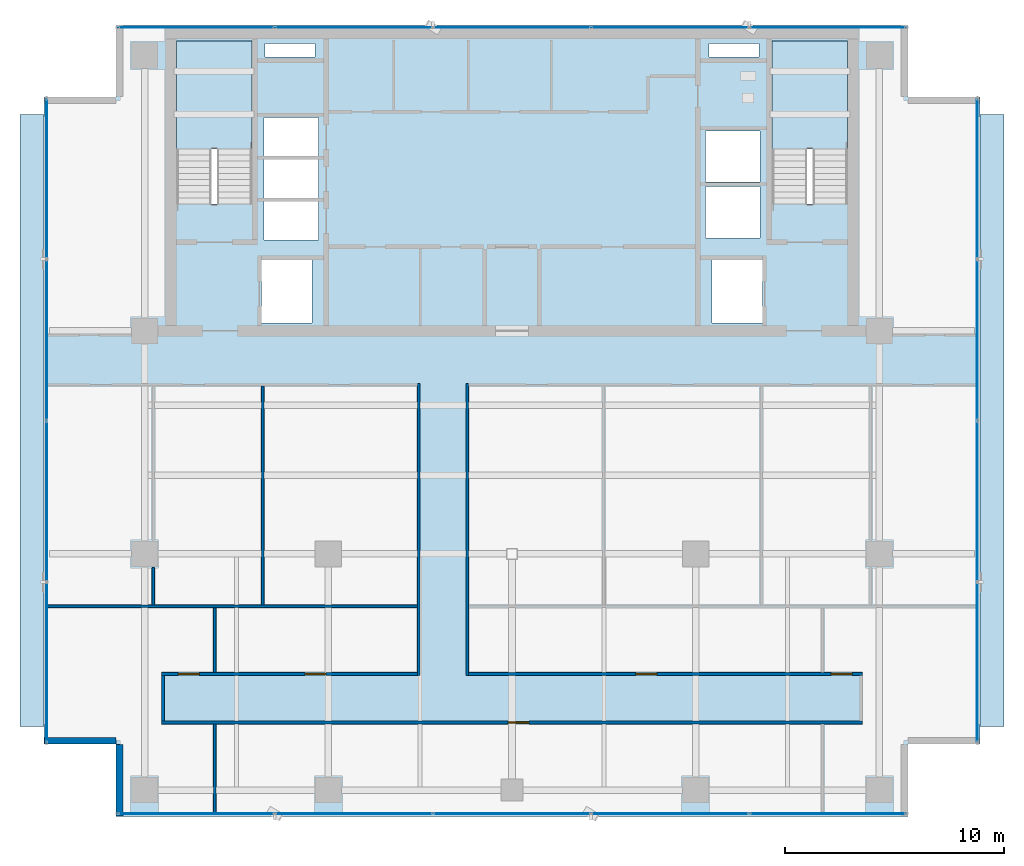
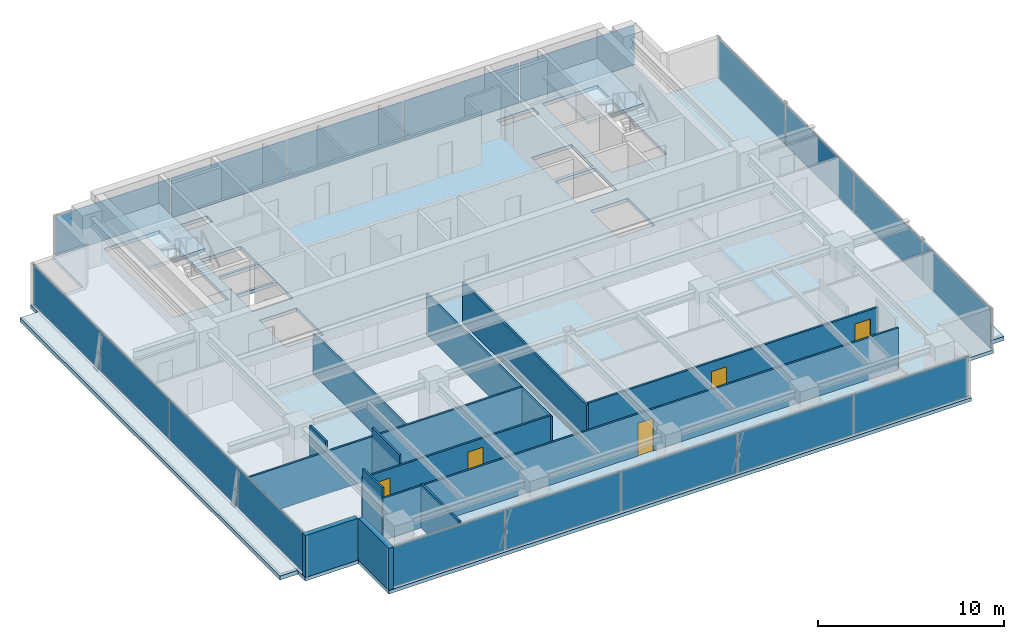
# One storey, part 15 of 22: 18 plates, 13 walls, 5 doors, 5 slabs, 5 openings, 6 elements without a shape of their own.
"""IFC4 building model written with IfcOpenShell, lengths in metres."""

import ifcopenshell
import ifcopenshell.guid

model = None  # the IFC model being written
_history = None  # IfcOwnerHistory: only IFC2X3 demands one
_inside = {}  # id of a spatial element -> (the spatial element, [elements in it])
_under = {}  # id of a project, library or spatial element -> (it, [spatial elements below it])
_declared = {}  # id of a project -> (the project, [libraries it declares])
_typed = {}  # id of a type object -> (the type object, [elements of that type])
_made_of = {}  # id of a material, layer set ... -> (it, [elements and type objects made of it])


def new_model(schema):
    """Start an empty IFC model of exactly this schema.

    Asked for "IFC4X3", IfcOpenShell would pick the latest addendum, in which some entities
    have other attributes; the version numbers below select the first issue.
    IFC2X3 requires an IfcOwnerHistory on every rooted entity: one is made here for all.
    """
    global model, _history
    if schema == "IFC4X3":
        model = ifcopenshell.file(schema_version=(4, 3, 0, 0))
    else:
        model = ifcopenshell.file(schema=schema)
    _inside.clear()
    _under.clear()
    _declared.clear()
    _typed.clear()
    _made_of.clear()
    _history = None
    if model.schema == "IFC2X3":
        org = make("IfcOrganization", Name="unknown")
        user = make(
            "IfcPersonAndOrganization",
            ThePerson=make("IfcPerson", FamilyName="unknown"),
            TheOrganization=org,
        )
        app = make(
            "IfcApplication",
            ApplicationDeveloper=org,
            Version="unknown",
            ApplicationFullName="unknown",
            ApplicationIdentifier="unknown",
        )
        _history = make(
            "IfcOwnerHistory",
            OwningUser=user,
            OwningApplication=app,
            ChangeAction="ADDED",
            CreationDate=0,
        )
    return model


def make(cls, **values):
    """One entity of the class cls with the attributes given. An attribute that is None is left unset."""
    return model.create_entity(
        cls, **{name: value for name, value in values.items() if value is not None}
    )


def rooted(cls, **values):
    """An entity with a GlobalId (a new one), such as an element, a storey or a relation."""
    return make(cls, GlobalId=ifcopenshell.guid.new(), OwnerHistory=_history, **values)


def si_unit(unit_type, name, prefix=None):
    """IfcSIUnit, for example si_unit("LENGTHUNIT", "METRE", prefix="MILLI")."""
    return make("IfcSIUnit", UnitType=unit_type, Prefix=prefix, Name=name)


def assignment(units):
    """IfcUnitAssignment: the units of a project."""
    return None if units is None else make("IfcUnitAssignment", Units=units)


def point(xyz):
    """IfcCartesianPoint."""
    return None if xyz is None else make("IfcCartesianPoint", Coordinates=xyz)


def direction(xyz):
    """IfcDirection."""
    return None if xyz is None else make("IfcDirection", DirectionRatios=xyz)


def frame(location, z_axis=None, x_axis=None):
    """IfcAxis2Placement3D, a coordinate frame: its origin and axes. An axis left out is left unset."""
    return make(
        "IfcAxis2Placement3D",
        Location=point(location),
        Axis=direction(z_axis),
        RefDirection=direction(x_axis),
    )


def frame_2d(location, x_axis=None):
    """IfcAxis2Placement2D, a coordinate frame in the plane: its origin and x axis."""
    return make(
        "IfcAxis2Placement2D", Location=point(location), RefDirection=direction(x_axis)
    )


def origin():
    """The frame at (0, 0, 0) with its axes left unset."""
    return frame((0.0, 0.0, 0.0))


def origin_2d():
    """The frame at (0, 0) in the plane with its x axis left unset."""
    return frame_2d((0.0, 0.0))


def place(relative_to, where):
    """IfcLocalPlacement: puts the frame where relative to a parent placement (None: the world)."""
    return make(
        "IfcLocalPlacement", PlacementRelTo=relative_to, RelativePlacement=where
    )


def context(
    kind, dimensions, precision=None, world=None, true_north=None, identifier=None
):
    """IfcGeometricRepresentationContext, for example the 3D "Model" context."""
    return make(
        "IfcGeometricRepresentationContext",
        ContextIdentifier=identifier,
        ContextType=kind,
        CoordinateSpaceDimension=dimensions,
        Precision=precision,
        WorldCoordinateSystem=world,
        TrueNorth=true_north,
    )


def subcontext(parent, identifier, kind, view, scale=None):
    """IfcGeometricRepresentationSubContext, for example "Body" below "Model"."""
    return make(
        "IfcGeometricRepresentationSubContext",
        ContextIdentifier=identifier,
        ContextType=kind,
        ParentContext=parent,
        TargetScale=scale,
        TargetView=view,
    )


def project(units=None, contexts=None):
    """IfcProject with its units and contexts."""
    return rooted(
        "IfcProject",
        Name="project",
        RepresentationContexts=contexts,
        UnitsInContext=assignment(units),
    )


def spatial(cls, under=None, at=None, **own):
    """A site, building, storey or space (cls), placed at a placement, below another one or the project."""
    s = rooted(cls, ObjectPlacement=at, **own)
    if under is not None:
        _under.setdefault(under.id(), (under, []))[1].append(s)
    return s


def polyline(points):
    """IfcPolyline through the points."""
    return make("IfcPolyline", Points=[point(p) for p in points])


def profile(cls, at=None, kind="AREA", **sizes):
    """A parametric profile (cls). Its sizes go by their IFC names, for example OverallWidth=200.0."""
    return make(cls, ProfileType=kind, Position=at, **sizes)


def rectangle(**sizes):
    """IfcRectangleProfileDef."""
    return profile("IfcRectangleProfileDef", **sizes)


def outline(outer, holes=None, kind="AREA"):
    """IfcArbitraryClosedProfileDef: a profile drawn as a closed curve; with holes, ...WithVoids."""
    if holes is None:
        return make("IfcArbitraryClosedProfileDef", ProfileType=kind, OuterCurve=outer)
    return make(
        "IfcArbitraryProfileDefWithVoids",
        ProfileType=kind,
        OuterCurve=outer,
        InnerCurves=holes,
    )


def extrude(swept, where, along, depth):
    """IfcExtrudedAreaSolid: the profile swept, set in the frame where, extruded along a direction by depth."""
    return make(
        "IfcExtrudedAreaSolid",
        SweptArea=swept,
        Position=where,
        ExtrudedDirection=direction(along),
        Depth=depth,
    )


def shape(context_of_items, identifier, shape_type, items):
    """IfcShapeRepresentation: the items that make up one representation, for example the "Body"."""
    return make(
        "IfcShapeRepresentation",
        ContextOfItems=context_of_items,
        RepresentationIdentifier=identifier,
        RepresentationType=shape_type,
        Items=items,
    )


def source(mapping_origin, context_of_items, identifier, shape_type, items):
    """IfcRepresentationMap: a shape defined once, which mapped items show again and again."""
    return make(
        "IfcRepresentationMap",
        MappingOrigin=mapping_origin,
        MappedRepresentation=shape(context_of_items, identifier, shape_type, items),
    )


def transform(
    local_origin,
    x_axis=None,
    y_axis=None,
    z_axis=None,
    scale=None,
    scale2=None,
    scale3=None,
    uniform=True,
):
    """IfcCartesianTransformationOperator3D, or its non-uniform kind. x_axis, y_axis, z_axis: its Axis1, 2, 3."""
    if uniform:
        return make(
            "IfcCartesianTransformationOperator3D",
            Axis1=direction(x_axis),
            Axis2=direction(y_axis),
            LocalOrigin=point(local_origin),
            Scale=scale,
            Axis3=direction(z_axis),
        )
    return make(
        "IfcCartesianTransformationOperator3DnonUniform",
        Axis1=direction(x_axis),
        Axis2=direction(y_axis),
        LocalOrigin=point(local_origin),
        Scale=scale,
        Axis3=direction(z_axis),
        Scale2=scale2,
        Scale3=scale3,
    )


def mapped(mapping_source, mapping_target):
    """IfcMappedItem: shows the shape of a source again, moved by a transform."""
    return make(
        "IfcMappedItem", MappingSource=mapping_source, MappingTarget=mapping_target
    )


def material(Name=None, Category=None):
    """IfcMaterial."""
    return make("IfcMaterial", Name=Name, Category=Category)


def layer(
    of_material, thickness, ventilated=None, Name=None, Category=None, Priority=None
):
    """IfcMaterialLayer: one layer of a wall or slab, of a material (None: an air gap)."""
    return make(
        "IfcMaterialLayer",
        Material=of_material,
        LayerThickness=thickness,
        IsVentilated=ventilated,
        Name=Name,
        Category=Category,
        Priority=Priority,
    )


def layer_set(layers, Name=None):
    """IfcMaterialLayerSet."""
    return make("IfcMaterialLayerSet", MaterialLayers=layers, LayerSetName=Name)


def made_of(thing, what):
    """Note that an element or type object is made of a material, layer set ...; save() writes the relation."""
    if what is not None:
        _made_of.setdefault(what.id(), (what, []))[1].append(thing)
    return thing


def type_object(cls, material=None, **own):
    """A type object (cls), such as IfcWallType, which elements share."""
    return made_of(rooted(cls, **own), material)


def element(
    cls,
    number,
    at=None,
    inside=None,
    cuts=None,
    type_object=None,
    material=None,
    context=None,
    identifier="Body",
    shape_type=None,
    held_by="IfcProductDefinitionShape",
    body=None,
    shapes=None,
    **own,
):
    """One element of the class cls, such as IfcWall. Its Tag is "e" and its number.

    at: its placement. inside: the storey or other place that contains it. cuts: it is an
    opening in that element (IfcRelVoidsElement). A single representation is given by context,
    identifier, shape_type and body (its items); several are given by shapes. held_by: the class
    of the entity that holds the representations. save() writes the other relations.
    """
    e = rooted(cls, Tag="e%d" % number, ObjectPlacement=at, **own)
    if body is not None:
        shapes = [shape(context, identifier, shape_type, body)]
    if shapes is not None:
        e.Representation = make(held_by, Representations=shapes)
    if inside is not None:
        _inside.setdefault(inside.id(), (inside, []))[1].append(e)
    if cuts is not None:
        rooted(
            "IfcRelVoidsElement", RelatingBuildingElement=cuts, RelatedOpeningElement=e
        )
    if type_object is not None:
        _typed.setdefault(type_object.id(), (type_object, []))[1].append(e)
    return made_of(e, material)


def fill(opening, filler):
    """IfcRelFillsElement: the door or window that sits in an opening."""
    return rooted(
        "IfcRelFillsElement",
        RelatingOpeningElement=opening,
        RelatedBuildingElement=filler,
    )


def aggregate(whole, parts):
    """IfcRelAggregates: a whole, such as a stair, and the parts it consists of."""
    return rooted("IfcRelAggregates", RelatingObject=whole, RelatedObjects=parts)


def save(model, path):
    """Write the relations noted so far, then the file.

    IfcRelAggregates (storeys below a building ...), IfcRelContainedInSpatialStructure (elements
    in a storey), IfcRelDefinesByType, IfcRelAssociatesMaterial and IfcRelDeclares: one each for
    every whole, place, type object, material and project.
    """
    for whole, parts in _under.values():
        aggregate(whole, parts)
    for where, things in _inside.values():
        rooted(
            "IfcRelContainedInSpatialStructure",
            RelatedElements=things,
            RelatingStructure=where,
        )
    for kind, things in _typed.values():
        rooted("IfcRelDefinesByType", RelatedObjects=things, RelatingType=kind)
    for what, things in _made_of.values():
        rooted("IfcRelAssociatesMaterial", RelatedObjects=things, RelatingMaterial=what)
    for by, libraries in _declared.values():
        rooted("IfcRelDeclares", RelatingContext=by, RelatedDefinitions=libraries)
    model.write(path)


model = new_model("IFC4")

# Units and contexts
model_context = context("Model", 3, precision=1e-05, world=origin(), true_north=direction((0.0, 1.0)))
body_context = subcontext(model_context, "Body", "Model", "MODEL_VIEW")
ifc_project = project(units=[si_unit("LENGTHUNIT", "METRE"), si_unit("AREAUNIT", "SQUARE_METRE"), si_unit("VOLUMEUNIT", "CUBIC_METRE"), si_unit("PLANEANGLEUNIT", "RADIAN"), si_unit("MASSUNIT", "GRAM", prefix="KILO")], contexts=[model_context])

# Site, building, storey
site_placement = place(None, origin())
site = spatial("IfcSite", under=ifc_project, at=site_placement, CompositionType="ELEMENT")
building_placement = place(site_placement, origin())
building = spatial("IfcBuilding", under=site, at=building_placement, Name="Sumidabori Civic Tower", CompositionType="ELEMENT")
storey_placement = place(building_placement, frame((0.0, 0.0, 272.0)))
storey = spatial("IfcBuildingStorey", under=building, at=storey_placement, Name="L71", CompositionType="ELEMENT", Elevation=272.0)

# Stair, slab
ifc_material_1 = material(Name="Concrete C40/50", Category="concrete")
stair_type = type_object("IfcStairType", Name="ST-CORE-1600", PredefinedType="HALF_TURN_STAIR", material=ifc_material_1)
stair_1_placement = place(storey_placement, origin())
stair_1 = element("IfcStair", 1, at=stair_1_placement, inside=storey, type_object=stair_type, Name="L71 ST-1", PredefinedType="HALF_TURN_STAIR")
ifc_layer_1 = layer(ifc_material_1, 0.199951171875, Name="Concrete C40/50")
ifc_layer_set_1 = layer_set([ifc_layer_1], Name="Concrete C40/50")
slab_type_1 = type_object("IfcSlabType", Name="SL-LAND-200", PredefinedType="LANDING", material=ifc_layer_set_1)
slab_1_placement = place(storey_placement, frame((0.0, 0.0, 1.60009765625)))
slab_1 = element("IfcSlab", 2, at=slab_1_placement, type_object=slab_type_1, Name="ST-1 landing 1", PredefinedType="LANDING", context=body_context, shape_type="SweptSolid", body=[
    extrude(outline(polyline([(-11.89990234375, 18.52001953125), (-11.89990234375, 23.449951171875), (-15.340087890625, 23.449951171875), (-15.340087890625, 18.52001953125), (-11.89990234375, 18.52001953125)])), origin(), (0.0, 0.0, 1.0), 0.199951171875),
])
aggregate(stair_1, [slab_1])

stair_2_placement = place(storey_placement, origin())
stair_2 = element("IfcStair", 3, at=stair_2_placement, inside=storey, type_object=stair_type, Name="L71 ST-2", PredefinedType="HALF_TURN_STAIR")
slab_2_placement = place(storey_placement, frame((0.0, 0.0, 1.60009765625)))
slab_2 = element("IfcSlab", 4, at=slab_2_placement, type_object=slab_type_1, Name="ST-2 landing 1", PredefinedType="LANDING", context=body_context, shape_type="SweptSolid", body=[
    extrude(outline(polyline([(15.340087890625, 18.52001953125), (15.340087890625, 23.449951171875), (11.89990234375, 23.449951171875), (11.89990234375, 18.52001953125), (15.340087890625, 18.52001953125)])), origin(), (0.0, 0.0, 1.0), 0.199951171875),
])
aggregate(stair_2, [slab_2])

# Slabs
ifc_layer_2 = layer(ifc_material_1, 0.260009765625, Name="Concrete C40/50")
ifc_layer_set_2 = layer_set([ifc_layer_2], Name="Concrete C40/50")
slab_type_2 = type_object("IfcSlabType", Name="SL-RF-260", PredefinedType="ROOF", material=ifc_layer_set_2)
slab_3_placement = place(storey_placement, frame((0.0, 0.0, -0.260009765625)))
element("IfcSlab", 5, at=slab_3_placement, inside=storey, type_object=slab_type_2, Name="Setback Structural Roof Slab L71-1", PredefinedType="ROOF", context=body_context, shape_type="SweptSolid", body=[
    extrude(outline(polyline([(22.5, 20.10009765625), (22.5, -7.89990234375), (21.39990234375, -7.89990234375), (21.39990234375, 20.10009765625), (22.5, 20.10009765625)])), origin(), (0.0, 0.0, 1.0), 0.260009765625),
])
slab_4_placement = place(storey_placement, frame((0.0, 0.0, -0.260009765625)))
element("IfcSlab", 6, at=slab_4_placement, inside=storey, type_object=slab_type_2, Name="Setback Structural Roof Slab L71-2", PredefinedType="ROOF", context=body_context, shape_type="SweptSolid", body=[
    extrude(outline(polyline([(-22.5, -7.89990234375), (-22.5, 20.10009765625), (-21.39990234375, 20.10009765625), (-21.39990234375, -7.89990234375), (-22.5, -7.89990234375)])), origin(), (0.0, 0.0, 1.0), 0.260009765625),
])
ifc_layer_3 = layer(ifc_material_1, 0.22998046875, Name="Concrete C40/50")
ifc_layer_set_3 = layer_set([ifc_layer_3], Name="Concrete C40/50")
slab_type_3 = type_object("IfcSlabType", Name="SL-Z4-230", PredefinedType="FLOOR", material=ifc_layer_set_3)
slab_5_placement = place(storey_placement, frame((0.0, 0.0, -0.22998046875)))
element("IfcSlab", 7, at=slab_5_placement, inside=storey, type_object=slab_type_3, Name="Structural Slab L71", PredefinedType="FLOOR", context=body_context, shape_type="SweptSolid", body=[
    extrude(outline(polyline([(-18.10009765625, -12.0), (18.10009765625, -12.0), (18.10009765625, -8.699951171875), (21.39990234375, -8.699951171875), (21.39990234375, 20.89990234375), (18.10009765625, 20.89990234375), (18.10009765625, 24.199951171875), (-18.10009765625, 24.199951171875), (-18.10009765625, 20.89990234375), (-21.39990234375, 20.89990234375), (-21.39990234375, -8.699951171875), (-18.10009765625, -8.699951171875), (-18.10009765625, -12.0)]), holes=[polyline([(-11.89990234375, 16.0), (-11.89990234375, 23.449951171875), (-15.340087890625, 23.449951171875), (-15.340087890625, 16.0), (-11.89990234375, 16.0)]), polyline([(15.340087890625, 16.0), (15.340087890625, 23.449951171875), (11.89990234375, 23.449951171875), (11.89990234375, 16.0), (15.340087890625, 16.0)]), polyline([(-11.449951171875, 10.550048828125), (-9.14990234375, 10.550048828125), (-9.14990234375, 13.449951171875), (-11.449951171875, 13.449951171875), (-11.449951171875, 10.550048828125)]), polyline([(9.14990234375, 10.550048828125), (11.449951171875, 10.550048828125), (11.449951171875, 13.449951171875), (9.14990234375, 13.449951171875), (9.14990234375, 10.550048828125)]), polyline([(-11.35009765625, 14.35009765625), (-8.85009765625, 14.35009765625), (-8.85009765625, 16.1201171875), (-11.35009765625, 16.1201171875), (-11.35009765625, 14.35009765625)]), polyline([(-11.35009765625, 16.27001953125), (-8.85009765625, 16.27001953125), (-8.85009765625, 18.0400390625), (-11.35009765625, 18.0400390625), (-11.35009765625, 16.27001953125)]), polyline([(-11.35009765625, 18.18994140625), (-8.85009765625, 18.18994140625), (-8.85009765625, 19.9599609375), (-11.35009765625, 19.9599609375), (-11.35009765625, 18.18994140625)]), polyline([(8.85009765625, 14.449951171875), (11.35009765625, 14.449951171875), (11.35009765625, 16.800048828125), (8.85009765625, 16.800048828125), (8.85009765625, 14.449951171875)]), polyline([(8.85009765625, 17.0), (11.35009765625, 17.0), (11.35009765625, 19.35009765625), (8.85009765625, 19.35009765625), (8.85009765625, 17.0)]), polyline([(-11.300048828125, 22.719970703125), (-9.0, 22.719970703125), (-9.0, 23.35009765625), (-11.300048828125, 23.35009765625), (-11.300048828125, 22.719970703125)]), polyline([(9.0, 22.719970703125), (11.300048828125, 22.719970703125), (11.300048828125, 23.35009765625), (9.0, 23.35009765625), (9.0, 22.719970703125)])]), origin(), (0.0, 0.0, 1.0), 0.22998046875),
])

# Curtain wall, plates
ifc_material_2 = material(Name="Anodised Bronze Aluminium AW-6063-T6", Category="aluminium")
ifc_layer_4 = layer(ifc_material_2, 0.179931640625, Name="Anodised Bronze Aluminium AW-6063-T6")
ifc_layer_set_4 = layer_set([ifc_layer_4], Name="Anodised Bronze Aluminium AW-6063-T6")
curtain_wall_type = type_object("IfcCurtainWallType", Name="CW-SYS-6", PredefinedType="NOTDEFINED", material=ifc_layer_set_4)
curtain_wall_1_placement = place(storey_placement, origin())
curtain_wall_1 = element("IfcCurtainWall", 8, at=curtain_wall_1_placement, inside=storey, type_object=curtain_wall_type, Name="Curtain Wall CW:L71:R01", PredefinedType="NOTDEFINED")
ifc_material_3 = material(Name="Bronze-Tinted Laminated Crown Glazing", Category="glass")
ifc_layer_5 = layer(ifc_material_3, 0.033935546875, Name="Bronze-Tinted Laminated Crown Glazing")
ifc_layer_set_5 = layer_set([ifc_layer_5], Name="Bronze-Tinted Laminated Crown Glazing")
plate_type = type_object("IfcPlateType", Name="CW-PNL-CRN", PredefinedType="CURTAIN_PANEL", material=ifc_layer_set_5)
shared_shape_1 = source(origin(), body_context, "Body", "SweptSolid", [
    extrude(rectangle(XDim=7.123046875, YDim=0.033935546875, at=origin_2d()), origin(), (0.0, 0.0, 1.0), 2.6201171875),
])
plate_1_placement = place(storey_placement, frame((-14.4384765625, -11.8798828125, 0.06494140625), z_axis=(0.0, 0.0, 1.0), x_axis=(1.0, 0.0, 0.0)))
plate_1 = element("IfcPlate", 9, at=plate_1_placement, type_object=plate_type, Name="CW-6 panel 1.1", PredefinedType="CURTAIN_PANEL", context=body_context, shape_type="MappedRepresentation", body=[
    mapped(shared_shape_1, transform((0.0, 0.0, 0.0), x_axis=(1.0, 0.0, 0.0), y_axis=(0.0, 1.0, 0.0), z_axis=(0.0, 0.0, 1.0), scale=1.0)),
])
plate_2_placement = place(storey_placement, frame((14.4384765625, -11.8798828125, 0.06494140625), z_axis=(0.0, 0.0, 1.0), x_axis=(1.0, 0.0, 0.0)))
plate_2 = element("IfcPlate", 10, at=plate_2_placement, type_object=plate_type, Name="CW-6 panel 5.1", PredefinedType="CURTAIN_PANEL", context=body_context, shape_type="MappedRepresentation", body=[
    mapped(shared_shape_1, transform((0.0, 0.0, 0.0), x_axis=(1.0, 0.0, 0.0), y_axis=(0.0, 1.0, 0.0), z_axis=(0.0, 0.0, 1.0), scale=1.0)),
])

curtain_wall_2_placement = place(storey_placement, origin())
curtain_wall_2 = element("IfcCurtainWall", 11, at=curtain_wall_2_placement, inside=storey, type_object=curtain_wall_type, Name="Curtain Wall CW:L71:R07", PredefinedType="NOTDEFINED")
plate_3_placement = place(storey_placement, frame((14.4384765625, 24.080078125, 0.06494140625), z_axis=(0.0, 0.0, 1.0), x_axis=(-1.0, 0.0, 0.0)))
plate_3 = element("IfcPlate", 12, at=plate_3_placement, type_object=plate_type, Name="CW-6 panel 1.1", PredefinedType="CURTAIN_PANEL", context=body_context, shape_type="MappedRepresentation", body=[
    mapped(shared_shape_1, transform((0.0, 0.0, 0.0), x_axis=(1.0, 0.0, 0.0), y_axis=(0.0, 1.0, 0.0), z_axis=(0.0, 0.0, 1.0), scale=1.0)),
])
plate_4_placement = place(storey_placement, frame((-14.4384765625, 24.080078125, 0.06494140625), z_axis=(0.0, 0.0, 1.0), x_axis=(-1.0, 0.0, 0.0)))
plate_4 = element("IfcPlate", 13, at=plate_4_placement, type_object=plate_type, Name="CW-6 panel 5.1", PredefinedType="CURTAIN_PANEL", context=body_context, shape_type="MappedRepresentation", body=[
    mapped(shared_shape_1, transform((0.0, 0.0, 0.0), x_axis=(1.0, 0.0, 0.0), y_axis=(0.0, 1.0, 0.0), z_axis=(0.0, 0.0, 1.0), scale=1.0)),
])

# Plate
shared_shape_2 = source(origin(), body_context, "Body", "SweptSolid", [
    extrude(rectangle(XDim=7.157958984375, YDim=0.033935546875, at=origin_2d()), origin(), (0.0, 0.0, 1.0), 2.6201171875),
])
plate_5_placement = place(storey_placement, frame((-7.22802734375, -11.8798828125, 0.06494140625), z_axis=(0.0, 0.0, 1.0), x_axis=(1.0, 0.0, 0.0)))
plate_5 = element("IfcPlate", 14, at=plate_5_placement, type_object=plate_type, Name="CW-6 panel 2.1", PredefinedType="CURTAIN_PANEL", context=body_context, shape_type="MappedRepresentation", body=[
    mapped(shared_shape_2, transform((0.0, 0.0, 0.0), x_axis=(1.0, 0.0, 0.0), y_axis=(0.0, 1.0, 0.0), z_axis=(0.0, 0.0, 1.0), scale=1.0)),
])

plate_6_placement = place(storey_placement, frame((0.0, -11.8798828125, 0.06494140625), z_axis=(0.0, 0.0, 1.0), x_axis=(1.0, 0.0, 0.0)))
plate_6 = element("IfcPlate", 15, at=plate_6_placement, type_object=plate_type, Name="CW-6 panel 3.1", PredefinedType="CURTAIN_PANEL", context=body_context, shape_type="MappedRepresentation", body=[
    mapped(shared_shape_2, transform((0.0, 0.0, 0.0), x_axis=(1.0, 0.0, 0.0), y_axis=(0.0, 1.0, 0.0), z_axis=(0.0, 0.0, 1.0), scale=1.0)),
])

plate_7_placement = place(storey_placement, frame((7.22802734375, -11.8798828125, 0.06494140625), z_axis=(0.0, 0.0, 1.0), x_axis=(1.0, 0.0, 0.0)))
plate_7 = element("IfcPlate", 16, at=plate_7_placement, type_object=plate_type, Name="CW-6 panel 4.1", PredefinedType="CURTAIN_PANEL", context=body_context, shape_type="MappedRepresentation", body=[
    mapped(shared_shape_2, transform((0.0, 0.0, 0.0), x_axis=(1.0, 0.0, 0.0), y_axis=(0.0, 1.0, 0.0), z_axis=(0.0, 0.0, 1.0), scale=1.0)),
])

aggregate(curtain_wall_1, [plate_1, plate_5, plate_6, plate_7, plate_2])

plate_8_placement = place(storey_placement, frame((7.22802734375, 24.080078125, 0.06494140625), z_axis=(0.0, 0.0, 1.0), x_axis=(-1.0, 0.0, 0.0)))
plate_8 = element("IfcPlate", 17, at=plate_8_placement, type_object=plate_type, Name="CW-6 panel 2.1", PredefinedType="CURTAIN_PANEL", context=body_context, shape_type="MappedRepresentation", body=[
    mapped(shared_shape_2, transform((0.0, 0.0, 0.0), x_axis=(1.0, 0.0, 0.0), y_axis=(0.0, 1.0, 0.0), z_axis=(0.0, 0.0, 1.0), scale=1.0)),
])

plate_9_placement = place(storey_placement, frame((0.0, 24.080078125, 0.06494140625), z_axis=(0.0, 0.0, 1.0), x_axis=(-1.0, 0.0, 0.0)))
plate_9 = element("IfcPlate", 18, at=plate_9_placement, type_object=plate_type, Name="CW-6 panel 3.1", PredefinedType="CURTAIN_PANEL", context=body_context, shape_type="MappedRepresentation", body=[
    mapped(shared_shape_2, transform((0.0, 0.0, 0.0), x_axis=(1.0, 0.0, 0.0), y_axis=(0.0, 1.0, 0.0), z_axis=(0.0, 0.0, 1.0), scale=1.0)),
])

plate_10_placement = place(storey_placement, frame((-7.22802734375, 24.080078125, 0.06494140625), z_axis=(0.0, 0.0, 1.0), x_axis=(-1.0, 0.0, 0.0)))
plate_10 = element("IfcPlate", 19, at=plate_10_placement, type_object=plate_type, Name="CW-6 panel 4.1", PredefinedType="CURTAIN_PANEL", context=body_context, shape_type="MappedRepresentation", body=[
    mapped(shared_shape_2, transform((0.0, 0.0, 0.0), x_axis=(1.0, 0.0, 0.0), y_axis=(0.0, 1.0, 0.0), z_axis=(0.0, 0.0, 1.0), scale=1.0)),
])

aggregate(curtain_wall_2, [plate_3, plate_8, plate_9, plate_10, plate_4])

# Curtain wall, plates
curtain_wall_3_placement = place(storey_placement, origin())
curtain_wall_3 = element("IfcCurtainWall", 20, at=curtain_wall_3_placement, inside=storey, type_object=curtain_wall_type, Name="Curtain Wall CW:L71:R04", PredefinedType="NOTDEFINED")
shared_shape_3 = source(origin(), body_context, "Body", "SweptSolid", [
    extrude(rectangle(XDim=7.280029296875, YDim=0.033935546875, at=origin_2d()), origin(), (0.0, 0.0, 1.0), 2.6201171875),
])
plate_11_placement = place(storey_placement, frame((21.280029296875, -4.9599609375, 0.06494140625), z_axis=(0.0, 0.0, 1.0), x_axis=(0.0, 1.0, 0.0)))
plate_11 = element("IfcPlate", 21, at=plate_11_placement, type_object=plate_type, Name="CW-6 panel 1.1", PredefinedType="CURTAIN_PANEL", context=body_context, shape_type="MappedRepresentation", body=[
    mapped(shared_shape_3, transform((0.0, 0.0, 0.0), x_axis=(1.0, 0.0, 0.0), y_axis=(0.0, 1.0, 0.0), z_axis=(0.0, 0.0, 1.0), scale=1.0)),
])
plate_12_placement = place(storey_placement, frame((21.280029296875, 17.159912109375, 0.06494140625), z_axis=(0.0, 0.0, 1.0), x_axis=(0.0, 1.0, 0.0)))
plate_12 = element("IfcPlate", 22, at=plate_12_placement, type_object=plate_type, Name="CW-6 panel 4.1", PredefinedType="CURTAIN_PANEL", context=body_context, shape_type="MappedRepresentation", body=[
    mapped(shared_shape_3, transform((0.0, 0.0, 0.0), x_axis=(1.0, 0.0, 0.0), y_axis=(0.0, 1.0, 0.0), z_axis=(0.0, 0.0, 1.0), scale=1.0)),
])

curtain_wall_4_placement = place(storey_placement, origin())
curtain_wall_4 = element("IfcCurtainWall", 23, at=curtain_wall_4_placement, inside=storey, type_object=curtain_wall_type, Name="Curtain Wall CW:L71:R10", PredefinedType="NOTDEFINED")
plate_13_placement = place(storey_placement, frame((-21.280029296875, 17.159912109375, 0.06494140625), z_axis=(0.0, 0.0, 1.0), x_axis=(0.0, -1.0, 0.0)))
plate_13 = element("IfcPlate", 24, at=plate_13_placement, type_object=plate_type, Name="CW-6 panel 1.1", PredefinedType="CURTAIN_PANEL", context=body_context, shape_type="MappedRepresentation", body=[
    mapped(shared_shape_3, transform((0.0, 0.0, 0.0), x_axis=(1.0, 0.0, 0.0), y_axis=(0.0, 1.0, 0.0), z_axis=(0.0, 0.0, 1.0), scale=1.0)),
])
plate_14_placement = place(storey_placement, frame((-21.280029296875, -4.9599609375, 0.06494140625), z_axis=(0.0, 0.0, 1.0), x_axis=(0.0, -1.0, 0.0)))
plate_14 = element("IfcPlate", 25, at=plate_14_placement, type_object=plate_type, Name="CW-6 panel 4.1", PredefinedType="CURTAIN_PANEL", context=body_context, shape_type="MappedRepresentation", body=[
    mapped(shared_shape_3, transform((0.0, 0.0, 0.0), x_axis=(1.0, 0.0, 0.0), y_axis=(0.0, 1.0, 0.0), z_axis=(0.0, 0.0, 1.0), scale=1.0)),
])

# Plate
shared_shape_4 = source(origin(), body_context, "Body", "SweptSolid", [
    extrude(rectangle(XDim=7.31494140625, YDim=0.033935546875, at=origin_2d()), origin(), (0.0, 0.0, 1.0), 2.6201171875),
])
plate_15_placement = place(storey_placement, frame((21.280029296875, 2.407470703125, 0.06494140625), z_axis=(0.0, 0.0, 1.0), x_axis=(0.0, 1.0, 0.0)))
plate_15 = element("IfcPlate", 26, at=plate_15_placement, type_object=plate_type, Name="CW-6 panel 2.1", PredefinedType="CURTAIN_PANEL", context=body_context, shape_type="MappedRepresentation", body=[
    mapped(shared_shape_4, transform((0.0, 0.0, 0.0), x_axis=(1.0, 0.0, 0.0), y_axis=(0.0, 1.0, 0.0), z_axis=(0.0, 0.0, 1.0), scale=1.0)),
])

plate_16_placement = place(storey_placement, frame((21.280029296875, 9.79248046875, 0.06494140625), z_axis=(0.0, 0.0, 1.0), x_axis=(0.0, 1.0, 0.0)))
plate_16 = element("IfcPlate", 27, at=plate_16_placement, type_object=plate_type, Name="CW-6 panel 3.1", PredefinedType="CURTAIN_PANEL", context=body_context, shape_type="MappedRepresentation", body=[
    mapped(shared_shape_4, transform((0.0, 0.0, 0.0), x_axis=(1.0, 0.0, 0.0), y_axis=(0.0, 1.0, 0.0), z_axis=(0.0, 0.0, 1.0), scale=1.0)),
])

aggregate(curtain_wall_3, [plate_11, plate_15, plate_16, plate_12])

plate_17_placement = place(storey_placement, frame((-21.280029296875, 9.79248046875, 0.06494140625), z_axis=(0.0, 0.0, 1.0), x_axis=(0.0, -1.0, 0.0)))
plate_17 = element("IfcPlate", 28, at=plate_17_placement, type_object=plate_type, Name="CW-6 panel 2.1", PredefinedType="CURTAIN_PANEL", context=body_context, shape_type="MappedRepresentation", body=[
    mapped(shared_shape_4, transform((0.0, 0.0, 0.0), x_axis=(1.0, 0.0, 0.0), y_axis=(0.0, 1.0, 0.0), z_axis=(0.0, 0.0, 1.0), scale=1.0)),
])

plate_18_placement = place(storey_placement, frame((-21.280029296875, 2.407470703125, 0.06494140625), z_axis=(0.0, 0.0, 1.0), x_axis=(0.0, -1.0, 0.0)))
plate_18 = element("IfcPlate", 29, at=plate_18_placement, type_object=plate_type, Name="CW-6 panel 3.1", PredefinedType="CURTAIN_PANEL", context=body_context, shape_type="MappedRepresentation", body=[
    mapped(shared_shape_4, transform((0.0, 0.0, 0.0), x_axis=(1.0, 0.0, 0.0), y_axis=(0.0, 1.0, 0.0), z_axis=(0.0, 0.0, 1.0), scale=1.0)),
])

aggregate(curtain_wall_4, [plate_13, plate_17, plate_18, plate_14])

# Walls
ifc_material_4 = material(Name="Precast concrete C40/50", Category="concrete")
ifc_layer_6 = layer(ifc_material_4, 0.300048828125, Name="Precast concrete C40/50")
ifc_layer_set_6 = layer_set([ifc_layer_6], Name="Precast concrete C40/50")
wall_type_1 = type_object("IfcWallType", Name="WL-EXT-POD300", PredefinedType="STANDARD", material=ifc_layer_set_6)
shared_shape_5 = source(origin(), body_context, "Body", "SweptSolid", [
    extrude(rectangle(XDim=3.260009765625, YDim=0.300048828125, at=frame_2d((1.6298828125, 0.0))), origin(), (0.0, 0.0, 1.0), 2.75),
])
wall_1_placement = place(storey_placement, frame((-17.949951171875, -8.719970703125, 0.0), z_axis=(0.0, 0.0, 1.0), x_axis=(0.0, -1.0, 0.0)))
element("IfcWall", 30, at=wall_1_placement, inside=storey, type_object=wall_type_1, Name="Notched Corner Spandrel Band L71-12", PredefinedType="STANDARD", context=body_context, shape_type="MappedRepresentation", body=[
    mapped(shared_shape_5, transform((0.0, 0.0, 0.0), x_axis=(1.0, 0.0, 0.0), y_axis=(0.0, 1.0, 0.0), z_axis=(0.0, 0.0, 1.0), scale=1.0)),
])
shared_shape_6 = source(origin(), body_context, "Body", "SweptSolid", [
    extrude(rectangle(XDim=3.259765625, YDim=0.300048828125, at=frame_2d((1.6298828125, 0.0))), origin(), (0.0, 0.0, 1.0), 2.75),
])
wall_2_placement = place(storey_placement, frame((-21.3798828125, -8.550048828125, 0.0), z_axis=(0.0, 0.0, 1.0), x_axis=(1.0, 0.0, 0.0)))
element("IfcWall", 31, at=wall_2_placement, inside=storey, type_object=wall_type_1, Name="Notched Corner Spandrel Band L71-11", PredefinedType="STANDARD", context=body_context, shape_type="MappedRepresentation", body=[
    mapped(shared_shape_6, transform((0.0, 0.0, 0.0), x_axis=(1.0, 0.0, 0.0), y_axis=(0.0, 1.0, 0.0), z_axis=(0.0, 0.0, 1.0), scale=1.0)),
])

# Wall, openings, doors
ifc_material_5 = material(Name="Gypsum Plasterboard Acoustic Partition")
ifc_layer_7 = layer(ifc_material_5, 0.1201171875, Name="Gypsum Plasterboard Acoustic Partition")
ifc_layer_set_7 = layer_set([ifc_layer_7], Name="Gypsum Plasterboard Acoustic Partition")
wall_type_2 = type_object("IfcWallType", Name="WL-PART-120", PredefinedType="PARTITIONING", material=ifc_layer_set_7)
shared_shape_7 = source(origin(), body_context, "Body", "SweptSolid", [
    extrude(rectangle(XDim=11.699951171875, YDim=0.1201171875, at=frame_2d((5.85009765625, 0.0))), origin(), (0.0, 0.0, 1.0), 2.7548828125),
])
wall_3_placement = place(storey_placement, frame((-16.02001953125, -5.489990234375, 0.0), z_axis=(0.0, 0.0, 1.0), x_axis=(1.0, 0.0, 0.0)))
wall_3 = element("IfcWall", 32, at=wall_3_placement, inside=storey, type_object=wall_type_2, Name="Interior Partition WL:L71:CORR-MNW", PredefinedType="PARTITIONING", context=body_context, shape_type="MappedRepresentation", body=[
    mapped(shared_shape_7, transform((0.0, 0.0, 0.0), x_axis=(1.0, 0.0, 0.0), y_axis=(0.0, 1.0, 0.0), z_axis=(0.0, 0.0, 1.0), scale=1.0)),
])
opening_1_placement = place(wall_3_placement, frame((6.554931640625, 0.0, 0.0)))
opening_1 = element("IfcOpeningElement", 33, at=opening_1_placement, cuts=wall_3, Name="Opening DR-2", PredefinedType="OPENING", context=body_context, shape_type="SweptSolid", body=[
    extrude(rectangle(XDim=0.949951171875, YDim=2.14990234375, at=frame_2d((0.47509765625, 1.074951171875))), frame((0.0, 0.072021484375, 0.0), z_axis=(0.0, -1.0, 0.0), x_axis=(1.0, 0.0, 0.0)), (0.0, 0.0, 1.0), 0.14404296875),
])
opening_2_placement = place(wall_3_placement, frame((0.764892578125, 0.0, 0.0)))
opening_2 = element("IfcOpeningElement", 34, at=opening_2_placement, cuts=wall_3, Name="Opening DR-2", PredefinedType="OPENING", context=body_context, shape_type="SweptSolid", body=[
    extrude(rectangle(XDim=0.949951171875, YDim=2.14990234375, at=frame_2d((0.47509765625, 1.074951171875))), frame((0.0, 0.072021484375, 0.0), z_axis=(0.0, -1.0, 0.0), x_axis=(1.0, 0.0, 0.0)), (0.0, 0.0, 1.0), 0.14404296875),
])
ifc_material_6 = material(Name="Japanese Hinoki Timber", Category="wood")
door_type = type_object("IfcDoorType", Name="DR-INT-950", OperationType="NOTDEFINED", PredefinedType="DOOR", material=ifc_material_6)
shared_shape_8 = source(origin(), body_context, "Body", "SweptSolid", [
    extrude(rectangle(XDim=0.949951171875, YDim=2.14990234375, at=frame_2d((0.47509765625, 1.074951171875))), frame((0.0, 0.02490234375, 0.0), z_axis=(0.0, -1.0, 0.0), x_axis=(1.0, 0.0, 0.0)), (0.0, 0.0, 1.0), 0.050048828125),
])
door_1_placement = place(opening_1_placement, origin())
door_1 = element("IfcDoor", 35, at=door_1_placement, inside=storey, type_object=door_type, Name="Door DR:L71:D10", OperationType="SINGLE_SWING_RIGHT", OverallHeight=2.14990234375, OverallWidth=0.949951171875, PredefinedType="DOOR", context=body_context, shape_type="MappedRepresentation", body=[
    mapped(shared_shape_8, transform((0.0, 0.0, 0.0), x_axis=(1.0, 0.0, 0.0), y_axis=(0.0, 1.0, 0.0), z_axis=(0.0, 0.0, 1.0), scale=1.0)),
])
fill(opening_1, door_1)
door_2_placement = place(opening_2_placement, origin())
door_2 = element("IfcDoor", 36, at=door_2_placement, inside=storey, type_object=door_type, Name="Door DR:L71:D13", OperationType="SINGLE_SWING_LEFT", OverallHeight=2.14990234375, OverallWidth=0.949951171875, PredefinedType="DOOR", context=body_context, shape_type="MappedRepresentation", body=[
    mapped(shared_shape_8, transform((0.0, 0.0, 0.0), x_axis=(1.0, 0.0, 0.0), y_axis=(0.0, 1.0, 0.0), z_axis=(0.0, 0.0, 1.0), scale=1.0)),
])
fill(opening_2, door_2)

shared_shape_9 = source(origin(), body_context, "Body", "SweptSolid", [
    extrude(rectangle(XDim=18.0, YDim=0.1201171875, at=frame_2d((9.0, 0.0))), origin(), (0.0, 0.0, 1.0), 2.7548828125),
])
wall_4_placement = place(storey_placement, frame((-1.97998046875, -5.489990234375, 0.0), z_axis=(0.0, 0.0, 1.0), x_axis=(1.0, 0.0, 0.0)))
wall_4 = element("IfcWall", 37, at=wall_4_placement, inside=storey, type_object=wall_type_2, Name="Interior Partition WL:L71:CORR-MNE", PredefinedType="PARTITIONING", context=body_context, shape_type="MappedRepresentation", body=[
    mapped(shared_shape_9, transform((0.0, 0.0, 0.0), x_axis=(1.0, 0.0, 0.0), y_axis=(0.0, 1.0, 0.0), z_axis=(0.0, 0.0, 1.0), scale=1.0)),
])
opening_3_placement = place(wall_4_placement, frame((7.64501953125, 0.0, 0.0)))
opening_3 = element("IfcOpeningElement", 38, at=opening_3_placement, cuts=wall_4, Name="Opening DR-2", PredefinedType="OPENING", context=body_context, shape_type="SweptSolid", body=[
    extrude(rectangle(XDim=0.949951171875, YDim=2.14990234375, at=frame_2d((0.47509765625, 1.074951171875))), frame((0.0, 0.072021484375, 0.0), z_axis=(0.0, -1.0, 0.0), x_axis=(1.0, 0.0, 0.0)), (0.0, 0.0, 1.0), 0.14404296875),
])
opening_4_placement = place(wall_4_placement, frame((16.5849609375, 0.0, 0.0)))
opening_4 = element("IfcOpeningElement", 39, at=opening_4_placement, cuts=wall_4, Name="Opening DR-2", PredefinedType="OPENING", context=body_context, shape_type="SweptSolid", body=[
    extrude(rectangle(XDim=0.949951171875, YDim=2.14990234375, at=frame_2d((0.47509765625, 1.074951171875))), frame((0.0, 0.072021484375, 0.0), z_axis=(0.0, -1.0, 0.0), x_axis=(1.0, 0.0, 0.0)), (0.0, 0.0, 1.0), 0.14404296875),
])
door_3_placement = place(opening_3_placement, origin())
door_3 = element("IfcDoor", 40, at=door_3_placement, inside=storey, type_object=door_type, Name="Door DR:L71:D11", OperationType="SINGLE_SWING_LEFT", OverallHeight=2.14990234375, OverallWidth=0.949951171875, PredefinedType="DOOR", context=body_context, shape_type="MappedRepresentation", body=[
    mapped(shared_shape_8, transform((0.0, 0.0, 0.0), x_axis=(1.0, 0.0, 0.0), y_axis=(0.0, 1.0, 0.0), z_axis=(0.0, 0.0, 1.0), scale=1.0)),
])
fill(opening_3, door_3)
door_4_placement = place(opening_4_placement, origin())
door_4 = element("IfcDoor", 41, at=door_4_placement, inside=storey, type_object=door_type, Name="Door DR:L71:D12", OperationType="SINGLE_SWING_RIGHT", OverallHeight=2.14990234375, OverallWidth=0.949951171875, PredefinedType="DOOR", context=body_context, shape_type="MappedRepresentation", body=[
    mapped(shared_shape_8, transform((0.0, 0.0, 0.0), x_axis=(1.0, 0.0, 0.0), y_axis=(0.0, 1.0, 0.0), z_axis=(0.0, 0.0, 1.0), scale=1.0)),
])
fill(opening_4, door_4)

# Wall, opening, door
shared_shape_10 = source(origin(), body_context, "Body", "SweptSolid", [
    extrude(rectangle(XDim=32.0400390625, YDim=0.1201171875, at=frame_2d((16.02001953125, 0.0))), origin(), (0.0, 0.0, 1.0), 2.7548828125),
])
wall_5_placement = place(storey_placement, frame((-16.02001953125, -7.7099609375, 0.0), z_axis=(0.0, 0.0, 1.0), x_axis=(1.0, 0.0, 0.0)))
wall_5 = element("IfcWall", 42, at=wall_5_placement, inside=storey, type_object=wall_type_2, Name="Interior Partition WL:L71:CORR-SS", PredefinedType="PARTITIONING", context=body_context, shape_type="MappedRepresentation", body=[
    mapped(shared_shape_10, transform((0.0, 0.0, 0.0), x_axis=(1.0, 0.0, 0.0), y_axis=(0.0, 1.0, 0.0), z_axis=(0.0, 0.0, 1.0), scale=1.0)),
])
opening_5_placement = place(wall_5_placement, frame((15.844970703125, 0.0, 0.0)))
opening_5 = element("IfcOpeningElement", 43, at=opening_5_placement, cuts=wall_5, Name="Opening DR-2", PredefinedType="OPENING", context=body_context, shape_type="SweptSolid", body=[
    extrude(rectangle(XDim=0.949951171875, YDim=2.14990234375, at=frame_2d((0.47509765625, 1.074951171875))), frame((0.0, 0.072021484375, 0.0), z_axis=(0.0, -1.0, 0.0), x_axis=(1.0, 0.0, 0.0)), (0.0, 0.0, 1.0), 0.14404296875),
])
door_5_placement = place(opening_5_placement, origin())
door_5 = element("IfcDoor", 44, at=door_5_placement, inside=storey, type_object=door_type, Name="Door DR:L71:D14", OperationType="SINGLE_SWING_RIGHT", OverallHeight=2.14990234375, OverallWidth=0.949951171875, PredefinedType="DOOR", context=body_context, shape_type="MappedRepresentation", body=[
    mapped(shared_shape_8, transform((0.0, 0.0, 0.0), x_axis=(1.0, 0.0, 0.0), y_axis=(0.0, 1.0, 0.0), z_axis=(0.0, 0.0, 1.0), scale=1.0)),
])
fill(opening_5, door_5)

# Walls
shared_shape_11 = source(origin(), body_context, "Body", "SweptSolid", [
    extrude(rectangle(XDim=13.35009765625, YDim=0.1201171875, at=frame_2d((6.675048828125, 0.0))), origin(), (0.0, 0.0, 1.0), 2.655029296875),
])
for number, where, z_axis, x_axis, name in (
    (45, (-4.260009765625, -5.550048828125, 0.0), (0.0, 0.0, 1.0), (0.0, 1.0, 0.0), "Interior Partition WL:L71:CORR-VC-W"),
    (46, (-2.0400390625, -5.550048828125, 0.0), (0.0, 0.0, 1.0), (0.0, 1.0, 0.0), "Interior Partition WL:L71:CORR-VC-E"),
):
    element("IfcWall", number, at=place(storey_placement, frame(where, z_axis=z_axis, x_axis=x_axis)), inside=storey, type_object=wall_type_2, Name=name, PredefinedType="PARTITIONING", context=body_context, shape_type="MappedRepresentation", body=[
        mapped(shared_shape_11, transform((0.0, 0.0, 0.0), x_axis=(1.0, 0.0, 0.0), y_axis=(0.0, 1.0, 0.0), z_axis=(0.0, 0.0, 1.0), scale=1.0)),
    ])
shared_shape_12 = source(origin(), body_context, "Body", "SweptSolid", [
    extrude(rectangle(XDim=2.090087890625, YDim=0.1201171875, at=frame_2d((1.044921875, 0.0))), origin(), (0.0, 0.0, 1.0), 3.3701171875),
])
wall_6_placement = place(storey_placement, frame((-15.9599609375, -7.64501953125, 0.0), z_axis=(0.0, 0.0, 1.0), x_axis=(0.0, 1.0, 0.0)))
element("IfcWall", 47, at=wall_6_placement, inside=storey, type_object=wall_type_2, Name="Interior Partition WL:L71:CORR-VSW", PredefinedType="PARTITIONING", context=body_context, shape_type="MappedRepresentation", body=[
    mapped(shared_shape_12, transform((0.0, 0.0, 0.0), x_axis=(1.0, 0.0, 0.0), y_axis=(0.0, 1.0, 0.0), z_axis=(0.0, 0.0, 1.0), scale=1.0)),
])
shared_shape_13 = source(origin(), body_context, "Body", "SweptSolid", [
    extrude(rectangle(XDim=16.925048828125, YDim=0.1201171875, at=frame_2d((8.46240234375, 0.0))), origin(), (0.0, 0.0, 1.0), 2.7548828125),
])
wall_7_placement = place(storey_placement, frame((-21.25, -2.39990234375, 0.0), z_axis=(0.0, 0.0, 1.0), x_axis=(1.0, 0.0, 0.0)))
element("IfcWall", 48, at=wall_7_placement, inside=storey, type_object=wall_type_2, Name="Interior Partition WL:L71:BAND-Y-1", PredefinedType="PARTITIONING", context=body_context, shape_type="MappedRepresentation", body=[
    mapped(shared_shape_13, transform((0.0, 0.0, 0.0), x_axis=(1.0, 0.0, 0.0), y_axis=(0.0, 1.0, 0.0), z_axis=(0.0, 0.0, 1.0), scale=1.0)),
])
shared_shape_14 = source(origin(), body_context, "Body", "SweptSolid", [
    extrude(rectangle(XDim=1.724853515625, YDim=0.1201171875, at=frame_2d((0.8623046875, 0.0))), origin(), (0.0, 0.0, 1.0), 3.3701171875),
])
wall_8_placement = place(storey_placement, frame((-16.39990234375, -2.3349609375, 0.0), z_axis=(0.0, 0.0, 1.0), x_axis=(0.0, 1.0, 0.0)))
element("IfcWall", 49, at=wall_8_placement, inside=storey, type_object=wall_type_2, Name="Interior Partition WL:L71:VX-N1-1", PredefinedType="PARTITIONING", context=body_context, shape_type="MappedRepresentation", body=[
    mapped(shared_shape_14, transform((0.0, 0.0, 0.0), x_axis=(1.0, 0.0, 0.0), y_axis=(0.0, 1.0, 0.0), z_axis=(0.0, 0.0, 1.0), scale=1.0)),
])
shared_shape_15 = source(origin(), body_context, "Body", "SweptSolid", [
    extrude(rectangle(XDim=10.010009765625, YDim=0.1201171875, at=frame_2d((5.0048828125, 0.0))), origin(), (0.0, 0.0, 1.0), 2.655029296875),
])
wall_9_placement = place(storey_placement, frame((-11.39990234375, -2.3349609375, 0.0), z_axis=(0.0, 0.0, 1.0), x_axis=(0.0, 1.0, 0.0)))
element("IfcWall", 50, at=wall_9_placement, inside=storey, type_object=wall_type_2, Name="Interior Partition WL:L71:VX-N2", PredefinedType="PARTITIONING", context=body_context, shape_type="MappedRepresentation", body=[
    mapped(shared_shape_15, transform((0.0, 0.0, 0.0), x_axis=(1.0, 0.0, 0.0), y_axis=(0.0, 1.0, 0.0), z_axis=(0.0, 0.0, 1.0), scale=1.0)),
])
shared_shape_16 = source(origin(), body_context, "Body", "SweptSolid", [
    extrude(rectangle(XDim=4.0751953125, YDim=0.1201171875, at=frame_2d((2.03759765625, 0.0))), origin(), (0.0, 0.0, 1.0), 2.905029296875),
])
wall_10_placement = place(storey_placement, frame((-13.60009765625, -11.85009765625, 0.0), z_axis=(0.0, 0.0, 1.0), x_axis=(0.0, 1.0, 0.0)))
element("IfcWall", 51, at=wall_10_placement, inside=storey, type_object=wall_type_2, Name="Interior Partition WL:L71:VX-S1-1", PredefinedType="PARTITIONING", context=body_context, shape_type="MappedRepresentation", body=[
    mapped(shared_shape_16, transform((0.0, 0.0, 0.0), x_axis=(1.0, 0.0, 0.0), y_axis=(0.0, 1.0, 0.0), z_axis=(0.0, 0.0, 1.0), scale=1.0)),
])
shared_shape_17 = source(origin(), body_context, "Body", "SweptSolid", [
    extrude(rectangle(XDim=2.9599609375, YDim=0.1201171875, at=frame_2d((1.47998046875, 0.0))), origin(), (0.0, 0.0, 1.0), 3.3701171875),
])
wall_11_placement = place(storey_placement, frame((-13.60009765625, -5.425048828125, 0.0), z_axis=(0.0, 0.0, 1.0), x_axis=(0.0, 1.0, 0.0)))
element("IfcWall", 52, at=wall_11_placement, inside=storey, type_object=wall_type_2, Name="Interior Partition WL:L71:VX-S1-2", PredefinedType="PARTITIONING", context=body_context, shape_type="MappedRepresentation", body=[
    mapped(shared_shape_17, transform((0.0, 0.0, 0.0), x_axis=(1.0, 0.0, 0.0), y_axis=(0.0, 1.0, 0.0), z_axis=(0.0, 0.0, 1.0), scale=1.0)),
])

save(model, "model.ifc")
